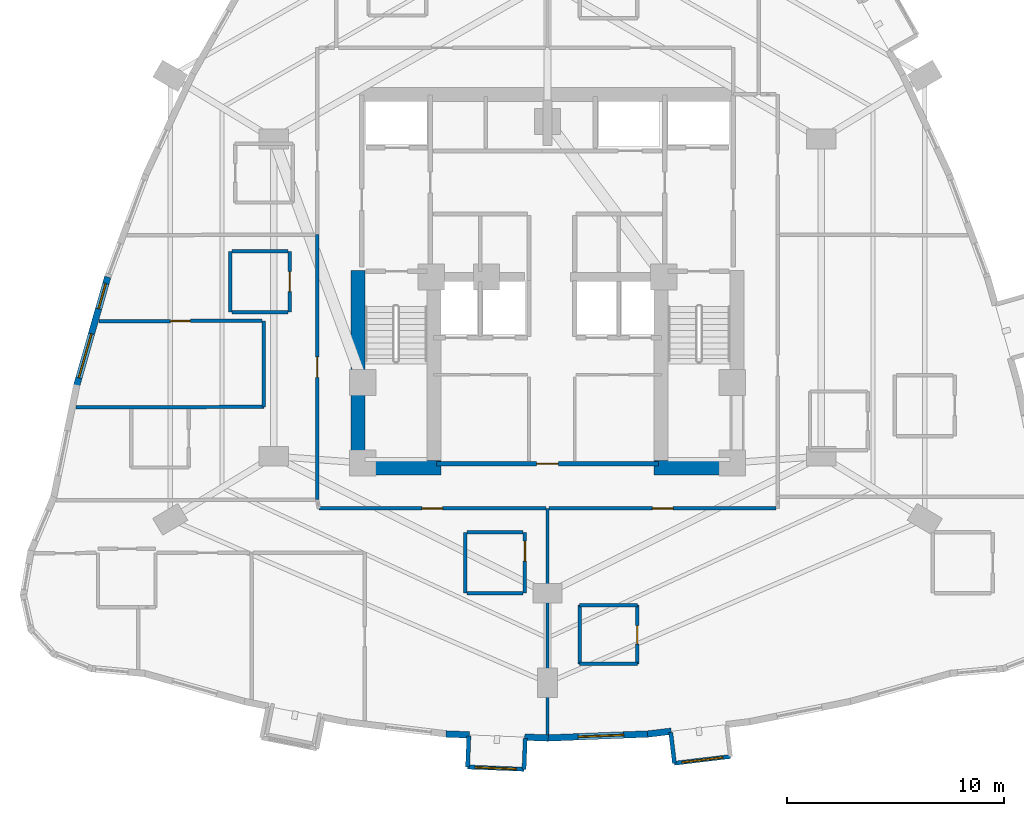
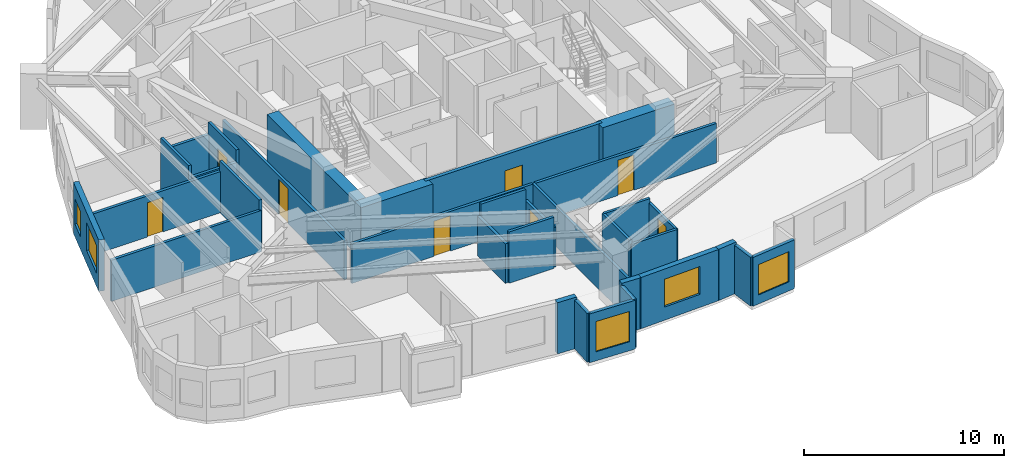
# One storey, part 9 of 15: 33 walls, 8 doors, 5 windows, 13 openings.
"""IFC4 building model written with IfcOpenShell, lengths in metres."""

from ifc_helpers import new_model, si_unit, direction, frame, frame_2d, origin, place, context, subcontext, project, spatial, rectangle, extrude, material, layer, layer_set, type_object, element, fill, save


model = new_model("IFC4")

# Units and contexts
model_context = context("Model", 3, precision=1e-05, world=origin(), true_north=direction((0.0, 1.0)))
body_context = subcontext(model_context, "Body", "Model", "MODEL_VIEW")
ifc_project = project(units=[si_unit("LENGTHUNIT", "METRE"), si_unit("AREAUNIT", "SQUARE_METRE"), si_unit("VOLUMEUNIT", "CUBIC_METRE"), si_unit("PLANEANGLEUNIT", "RADIAN"), si_unit("MASSUNIT", "GRAM", prefix="KILO")], contexts=[model_context])

# Site, building, storey
site_placement = place(None, origin())
site = spatial("IfcSite", under=ifc_project, at=site_placement, CompositionType="ELEMENT")
building_placement = place(site_placement, origin())
building = spatial("IfcBuilding", under=site, at=building_placement, Name="Miruveldt Soraemaru", CompositionType="ELEMENT")
storey_placement = place(building_placement, frame((0.0, 0.0, 83.60009765625)))
storey = spatial("IfcBuildingStorey", under=building, at=storey_placement, Name="L23", CompositionType="ELEMENT", Elevation=83.60009765625)

# Walls
ifc_material_1 = material(Name="White powder-coated aluminium EN AW-6060 T6", Category="aluminium")
ifc_layer_1 = layer(ifc_material_1, 0.18994140625, Name="White powder-coated aluminium EN AW-6060 T6", Category="aluminium")
ifc_layer_set_1 = layer_set([ifc_layer_1], Name="White powder-coated aluminium EN AW-6060 T6")
wall_type_1 = type_object("IfcWallType", Name="WALL-BAY-ALU190", PredefinedType="SOLIDWALL", material=ifc_layer_set_1)
for number, where, z_axis, x_axis, name in (
    (1, (40.380615234375, 22.927734375, 0.0), (0.0, 0.0, 1.0), (-0.039920142234, -0.999202873417, 0.0), "L23 Bay Window Side Cheek 2L"),
    (2, (42.921630859375, 21.39990234375, 0.0), (0.0, 0.0, 1.0), (0.039920142234, 0.999202873417, 0.0), "L23 Bay Window Side Cheek 2R"),
):
    element("IfcWall", number, at=place(storey_placement, frame(where, z_axis=z_axis, x_axis=x_axis)), inside=storey, type_object=wall_type_1, Name=name, PredefinedType="SOLIDWALL", context=body_context, shape_type="SweptSolid", body=[
        extrude(rectangle(XDim=1.425048828125, YDim=0.18994140625, at=frame_2d((0.71240234375, 0.0))), origin(), (0.0, 0.0, 1.0), 2.974853515625),
    ])

# Wall, opening, window
wall_1_placement = place(storey_placement, frame((40.32373046875, 21.50390625, 0.0), z_axis=(0.0, 0.0, 1.0), x_axis=(0.999199608139, -0.040001788654, 0.0)))
wall_1 = element("IfcWall", 3, at=wall_1_placement, inside=storey, type_object=wall_type_1, Name="L23 Bay Window Front Frame 2", PredefinedType="SOLIDWALL", context=body_context, shape_type="SweptSolid", body=[
    extrude(rectangle(XDim=2.60009765625, YDim=0.18994140625, at=frame_2d((1.300048828125, 0.0))), origin(), (0.0, 0.0, 1.0), 2.974853515625),
])
opening_1_placement = place(wall_1_placement, frame((0.35009765625, 0.0, 0.550048828125)))
opening_1 = element("IfcOpeningElement", 4, at=opening_1_placement, cuts=wall_1, Name="Opening WN-6", PredefinedType="OPENING", context=body_context, shape_type="SweptSolid", body=[
    extrude(rectangle(XDim=1.89990234375, YDim=1.85009765625, at=frame_2d((0.949951171875, 0.925048828125))), frame((0.0, 0.10498046875, 0.0), z_axis=(0.0, -1.0, 0.0), x_axis=(1.0, 0.0, 0.0)), (0.0, 0.0, 1.0), 0.2099609375),
])
ifc_material_2 = material(Name="Triple low-e insulated glazing", Category="glass")
window_type_1 = type_object("IfcWindowType", Name="WIN-BAYW-1900x1850", PartitioningType="SINGLE_PANEL", PredefinedType="WINDOW", material=ifc_material_2)
window_1_placement = place(opening_1_placement, origin())
window_1 = element("IfcWindow", 5, at=window_1_placement, inside=storey, type_object=window_type_1, Name="L23 Projecting Bay Window 2", OverallHeight=1.85009765625, OverallWidth=1.89990234375, PartitioningType="SINGLE_PANEL", PredefinedType="WINDOW", context=body_context, shape_type="SweptSolid", body=[
    extrude(rectangle(XDim=1.89990234375, YDim=1.85009765625, at=frame_2d((0.949951171875, 0.925048828125))), frame((0.0, 0.030029296875, 0.0), z_axis=(0.0, -1.0, 0.0), x_axis=(1.0, 0.0, 0.0)), (0.0, 0.0, 1.0), 0.06005859375),
])
fill(opening_1, window_1)

# Wall
wall_2_placement = place(storey_placement, frame((49.67041015625, 23.09228515625, 0.0), z_axis=(0.0, 0.0, 1.0), x_axis=(0.119057405757, -0.992887372331, 0.0)))
element("IfcWall", 6, at=wall_2_placement, inside=storey, type_object=wall_type_1, Name="L23 Bay Window Side Cheek 3L", PredefinedType="SOLIDWALL", context=body_context, shape_type="SweptSolid", body=[
    extrude(rectangle(XDim=1.42529296875, YDim=0.18994140625, at=frame_2d((0.712646484375, 0.0))), origin(), (0.0, 0.0, 1.0), 2.974853515625),
])

# Wall, opening, window
wall_3_placement = place(storey_placement, frame((49.840087890625, 21.67724609375, 0.0), z_axis=(0.0, 0.0, 1.0), x_axis=(0.992874172121, 0.119167438232, 0.0)))
wall_3 = element("IfcWall", 7, at=wall_3_placement, inside=storey, type_object=wall_type_1, Name="L23 Bay Window Front Frame 3", PredefinedType="SOLIDWALL", context=body_context, shape_type="SweptSolid", body=[
    extrude(rectangle(XDim=2.599853515625, YDim=0.18994140625, at=frame_2d((1.2998046875, 0.0))), origin(), (0.0, 0.0, 1.0), 2.974853515625),
])
opening_2_placement = place(wall_3_placement, frame((0.35009765625, 0.0, 0.550048828125)))
opening_2 = element("IfcOpeningElement", 8, at=opening_2_placement, cuts=wall_3, Name="Opening WN-6", PredefinedType="OPENING", context=body_context, shape_type="SweptSolid", body=[
    extrude(rectangle(XDim=1.89990234375, YDim=1.85009765625, at=frame_2d((0.949951171875, 0.925048828125))), frame((0.0, 0.10498046875, 0.0), z_axis=(0.0, -1.0, 0.0), x_axis=(1.0, 0.0, 0.0)), (0.0, 0.0, 1.0), 0.2099609375),
])
window_2_placement = place(opening_2_placement, origin())
window_2 = element("IfcWindow", 9, at=window_2_placement, inside=storey, type_object=window_type_1, Name="L23 Projecting Bay Window 3", OverallHeight=1.85009765625, OverallWidth=1.89990234375, PartitioningType="SINGLE_PANEL", PredefinedType="WINDOW", context=body_context, shape_type="SweptSolid", body=[
    extrude(rectangle(XDim=1.89990234375, YDim=1.85009765625, at=frame_2d((0.949951171875, 0.925048828125))), frame((0.0, 0.030029296875, 0.0), z_axis=(0.0, -1.0, 0.0), x_axis=(1.0, 0.0, 0.0)), (0.0, 0.0, 1.0), 0.06005859375),
])
fill(opening_2, window_2)

# Walls
ifc_material_3 = material(Name="Concrete C80/95 (80 MPa)", Category="concrete")
ifc_layer_2 = layer(ifc_material_3, 0.64990234375, Name="Concrete C80/95 (80 MPa)", Category="concrete")
ifc_layer_set_2 = layer_set([ifc_layer_2], Name="Concrete C80/95 (80 MPa)")
wall_type_2 = type_object("IfcWallType", Name="WALL-CW-650", PredefinedType="SHEAR", material=ifc_layer_set_2)
for number, where, z_axis, x_axis, name in (
    (10, (34.949951171875, 35.27490234375, 0.0), (0.0, 0.0, 1.0), (1.0, 0.0, 0.0), "L23 Central Core Shear Wall S1"),
    (11, (48.89990234375, 35.27490234375, 0.0), (0.0, 0.0, 1.0), (1.0, 0.0, 0.0), "L23 Central Core Shear Wall S2"),
):
    element("IfcWall", number, at=place(storey_placement, frame(where, z_axis=z_axis, x_axis=x_axis)), inside=storey, type_object=wall_type_2, Name=name, PredefinedType="SHEAR", context=body_context, shape_type="SweptSolid", body=[
        extrude(rectangle(XDim=4.150146484375, YDim=0.64990234375, at=frame_2d((2.0751953125, 0.0))), origin(), (0.0, 0.0, 1.0), 3.125),
    ])
wall_4_placement = place(storey_placement, frame((35.27490234375, 34.949951171875, 0.0), z_axis=(0.0, 0.0, 1.0), x_axis=(0.0, 1.0, 0.0)))
element("IfcWall", 12, at=wall_4_placement, inside=storey, type_object=wall_type_2, Name="L23 Central Core Shear Wall W1", PredefinedType="SHEAR", context=body_context, shape_type="SweptSolid", body=[
    extrude(rectangle(XDim=9.400146484375, YDim=0.64990234375, at=frame_2d((4.7001953125, 0.0))), origin(), (0.0, 0.0, 1.0), 3.125),
])

# Wall, openings, windows
ifc_material_4 = material(Name="Precast concrete C45/55 (45 MPa)", Category="concrete")
ifc_layer_3 = layer(ifc_material_4, 0.300048828125, Name="Precast concrete C45/55 (45 MPa)", Category="concrete")
ifc_layer_set_3 = layer_set([ifc_layer_3], Name="Precast concrete C45/55 (45 MPa)")
wall_type_3 = type_object("IfcWallType", Name="WALL-EXT-PC300", PredefinedType="SOLIDWALL", material=ifc_layer_set_3)
wall_5_placement = place(storey_placement, frame((23.764404296875, 44.0498046875, 0.0), z_axis=(0.0, 0.0, 1.0), x_axis=(-0.274924595384, -0.961465790787, 0.0)))
wall_5 = element("IfcWall", 13, at=wall_5_placement, inside=storey, type_object=wall_type_3, Name="L23 Precast Concrete Facade Wall 13", PredefinedType="SOLIDWALL", context=body_context, shape_type="SweptSolid", body=[
    extrude(rectangle(XDim=5.2294921875, YDim=0.300048828125, at=frame_2d((2.61474609375, 0.0))), origin(), (0.0, 0.0, 1.0), 3.125),
])
opening_3_placement = place(wall_5_placement, frame((0.31591796875, 0.0, 0.780029296875)))
opening_3 = element("IfcOpeningElement", 14, at=opening_3_placement, cuts=wall_5, Name="Opening WN-4", PredefinedType="OPENING", context=body_context, shape_type="SweptSolid", body=[
    extrude(rectangle(XDim=1.199951171875, YDim=1.550048828125, at=frame_2d((0.60009765625, 0.77490234375))), frame((0.0, 0.16015625, 0.0), z_axis=(0.0, -1.0, 0.0), x_axis=(1.0, 0.0, 0.0)), (0.0, 0.0, 1.0), 0.320068359375),
])
opening_4_placement = place(wall_5_placement, frame((2.720947265625, 0.0, 0.800048828125)))
opening_4 = element("IfcOpeningElement", 15, at=opening_4_placement, cuts=wall_5, Name="Opening WN-1", PredefinedType="OPENING", context=body_context, shape_type="SweptSolid", body=[
    extrude(rectangle(XDim=2.10009765625, YDim=1.699951171875, at=frame_2d((1.050048828125, 0.85009765625))), frame((0.0, 0.16015625, 0.0), z_axis=(0.0, -1.0, 0.0), x_axis=(1.0, 0.0, 0.0)), (0.0, 0.0, 1.0), 0.320068359375),
])
window_type_2 = type_object("IfcWindowType", Name="WIN-PUNCH-1200x1550", PartitioningType="SINGLE_PANEL", PredefinedType="WINDOW", material=ifc_material_2)
window_3_placement = place(opening_3_placement, origin())
window_3 = element("IfcWindow", 16, at=window_3_placement, inside=storey, type_object=window_type_2, Name="L23 Punched Triple-Glazed Window 13.1", OverallHeight=1.550048828125, OverallWidth=1.199951171875, PartitioningType="SINGLE_PANEL", PredefinedType="WINDOW", context=body_context, shape_type="SweptSolid", body=[
    extrude(rectangle(XDim=1.199951171875, YDim=1.550048828125, at=frame_2d((0.60009765625, 0.77490234375))), frame((0.0, 0.030029296875, 0.0), z_axis=(0.0, -1.0, 0.0), x_axis=(1.0, 0.0, 0.0)), (0.0, 0.0, 1.0), 0.06005859375),
])
fill(opening_3, window_3)
window_type_3 = type_object("IfcWindowType", Name="WIN-PUNCH-2100x1700", PartitioningType="SINGLE_PANEL", PredefinedType="WINDOW", material=ifc_material_2)
window_4_placement = place(opening_4_placement, origin())
window_4 = element("IfcWindow", 17, at=window_4_placement, inside=storey, type_object=window_type_3, Name="L23 Punched Triple-Glazed Window 13.2", OverallHeight=1.699951171875, OverallWidth=2.10009765625, PartitioningType="SINGLE_PANEL", PredefinedType="WINDOW", context=body_context, shape_type="SweptSolid", body=[
    extrude(rectangle(XDim=2.10009765625, YDim=1.699951171875, at=frame_2d((1.050048828125, 0.85009765625))), frame((0.0, 0.030029296875, 0.0), z_axis=(0.0, -1.0, 0.0), x_axis=(1.0, 0.0, 0.0)), (0.0, 0.0, 1.0), 0.06005859375),
])
fill(opening_4, window_4)

# Walls
for number, where, z_axis, x_axis, name in (
    (18, (39.32861328125, 23.02490234375, 0.0), (0.0, 0.0, 1.0), (0.999197720713, -0.040048906617, 0.0), "L23 Precast Pier Wall 24A"),
    (19, (42.95068359375, 22.8798828125, 0.0), (0.0, 0.0, 1.0), (0.999206699072, -0.0398242706, 0.0), "L23 Precast Pier Wall 24B"),
):
    element("IfcWall", number, at=place(storey_placement, frame(where, z_axis=z_axis, x_axis=x_axis)), inside=storey, type_object=wall_type_3, Name=name, PredefinedType="SOLIDWALL", context=body_context, shape_type="SweptSolid", body=[
        extrude(rectangle(XDim=1.085205078125, YDim=0.300048828125, at=frame_2d((0.54248046875, 0.0))), origin(), (0.0, 0.0, 1.0), 3.125),
    ])

# Wall, opening, window
wall_6_placement = place(storey_placement, frame((43.965087890625, 22.836669921875, 0.0), z_axis=(0.0, 0.0, 1.0), x_axis=(0.999201124317, 0.039963898265, 0.0)))
wall_6 = element("IfcWall", 20, at=wall_6_placement, inside=storey, type_object=wall_type_3, Name="L23 Precast Concrete Facade Wall 25", PredefinedType="SOLIDWALL", context=body_context, shape_type="SweptSolid", body=[
    extrude(rectangle(XDim=4.7099609375, YDim=0.300048828125, at=frame_2d((2.35498046875, 0.0))), origin(), (0.0, 0.0, 1.0), 3.125),
])
opening_5_placement = place(wall_6_placement, frame((1.446044921875, 0.0, 0.800048828125)))
opening_5 = element("IfcOpeningElement", 21, at=opening_5_placement, cuts=wall_6, Name="Opening WN-1", PredefinedType="OPENING", context=body_context, shape_type="SweptSolid", body=[
    extrude(rectangle(XDim=2.10009765625, YDim=1.699951171875, at=frame_2d((1.050048828125, 0.85009765625))), frame((0.0, 0.16015625, 0.0), z_axis=(0.0, -1.0, 0.0), x_axis=(1.0, 0.0, 0.0)), (0.0, 0.0, 1.0), 0.320068359375),
])
window_5_placement = place(opening_5_placement, origin())
window_5 = element("IfcWindow", 22, at=window_5_placement, inside=storey, type_object=window_type_3, Name="L23 Punched Triple-Glazed Window 25.1", OverallHeight=1.699951171875, OverallWidth=2.10009765625, PartitioningType="SINGLE_PANEL", PredefinedType="WINDOW", context=body_context, shape_type="SweptSolid", body=[
    extrude(rectangle(XDim=2.10009765625, YDim=1.699951171875, at=frame_2d((1.050048828125, 0.85009765625))), frame((0.0, 0.030029296875, 0.0), z_axis=(0.0, -1.0, 0.0), x_axis=(1.0, 0.0, 0.0)), (0.0, 0.0, 1.0), 0.06005859375),
])
fill(opening_5, window_5)

# Wall
wall_7_placement = place(storey_placement, frame((48.6015625, 23.019287109375, 0.0), z_axis=(0.0, 0.0, 1.0), x_axis=(0.992870535119, 0.119197736946, 0.0)))
element("IfcWall", 23, at=wall_7_placement, inside=storey, type_object=wall_type_3, Name="L23 Precast Pier Wall 26A", PredefinedType="SOLIDWALL", context=body_context, shape_type="SweptSolid", body=[
    extrude(rectangle(XDim=1.099853515625, YDim=0.300048828125, at=frame_2d((0.5498046875, 0.0))), origin(), (0.0, 0.0, 1.0), 3.125),
])

# Wall, opening, door
ifc_material_5 = material(Name="Gypsum plasterboard lining", Category="gypsum")
ifc_layer_4 = layer(ifc_material_5, 0.14990234375, Name="Gypsum plasterboard lining", Category="gypsum")
ifc_layer_set_4 = layer_set([ifc_layer_4], Name="Gypsum plasterboard lining")
wall_type_4 = type_object("IfcWallType", Name="WALL-INT-PLUMB", PredefinedType="PLUMBINGWALL", material=ifc_layer_set_4)
wall_8_placement = place(storey_placement, frame((48.1298828125, 26.25, 0.0), z_axis=(0.0, 0.0, 1.0), x_axis=(0.0, 1.0, 0.0)))
wall_8 = element("IfcWall", 24, at=wall_8_placement, inside=storey, type_object=wall_type_4, Name="L23 Partition Wall 77", PredefinedType="PLUMBINGWALL", context=body_context, shape_type="SweptSolid", body=[
    extrude(rectangle(XDim=2.699951171875, YDim=0.14990234375, at=frame_2d((1.35009765625, 0.0))), origin(), (0.0, 0.0, 1.0), 2.512939453125),
])
opening_6_placement = place(wall_8_placement, frame((0.909912109375, 0.0, 0.0)))
opening_6 = element("IfcOpeningElement", 25, at=opening_6_placement, cuts=wall_8, Name="Opening FD3", PredefinedType="OPENING", context=body_context, shape_type="SweptSolid", body=[
    extrude(rectangle(XDim=0.85009765625, YDim=2.10009765625, at=frame_2d((0.425048828125, 1.050048828125))), frame((0.0, 0.0849609375, 0.0), z_axis=(0.0, -1.0, 0.0), x_axis=(1.0, 0.0, 0.0)), (0.0, 0.0, 1.0), 0.169921875),
])
ifc_material_6 = material(Name="Anodised aluminium EN AW-6063 T6", Category="aluminium")
door_type_1 = type_object("IfcDoorType", Name="DOOR-FD3-850", OperationType="NOTDEFINED", PredefinedType="DOOR", material=ifc_material_6)
door_1_placement = place(opening_6_placement, origin())
door_1 = element("IfcDoor", 26, at=door_1_placement, inside=storey, type_object=door_type_1, Name="L23 Unit CL07 BTH Door", OperationType="SINGLE_SWING_LEFT", OverallHeight=2.10009765625, OverallWidth=0.85009765625, PredefinedType="DOOR", context=body_context, shape_type="SweptSolid", body=[
    extrude(rectangle(XDim=0.85009765625, YDim=2.10009765625, at=frame_2d((0.425048828125, 1.050048828125))), frame((0.0, 0.02490234375, 0.0), z_axis=(0.0, -1.0, 0.0), x_axis=(1.0, 0.0, 0.0)), (0.0, 0.0, 1.0), 0.050048828125),
])
fill(opening_6, door_1)

# Walls
wall_9_placement = place(storey_placement, frame((45.47998046875, 28.949951171875, 0.0), z_axis=(0.0, 0.0, 1.0), x_axis=(0.0, -1.0, 0.0)))
element("IfcWall", 27, at=wall_9_placement, inside=storey, type_object=wall_type_4, Name="L23 Partition Wall 79", PredefinedType="PLUMBINGWALL", context=body_context, shape_type="SweptSolid", body=[
    extrude(rectangle(XDim=2.699951171875, YDim=0.14990234375, at=frame_2d((1.35009765625, 0.0))), origin(), (0.0, 0.0, 1.0), 2.762939453125),
])
wall_10_placement = place(storey_placement, frame((48.1298828125, 28.949951171875, 0.0), z_axis=(0.0, 0.0, 1.0), x_axis=(-1.0, 0.0, 0.0)))
element("IfcWall", 28, at=wall_10_placement, inside=storey, type_object=wall_type_4, Name="L23 Partition Wall 78", PredefinedType="PLUMBINGWALL", context=body_context, shape_type="SweptSolid", body=[
    extrude(rectangle(XDim=2.64990234375, YDim=0.14990234375, at=frame_2d((1.324951171875, 0.0))), origin(), (0.0, 0.0, 1.0), 2.762939453125),
])
wall_11_placement = place(storey_placement, frame((45.47998046875, 26.25, 0.0), z_axis=(0.0, 0.0, 1.0), x_axis=(1.0, 0.0, 0.0)))
element("IfcWall", 29, at=wall_11_placement, inside=storey, type_object=wall_type_4, Name="L23 Partition Wall 80", PredefinedType="PLUMBINGWALL", context=body_context, shape_type="SweptSolid", body=[
    extrude(rectangle(XDim=2.64990234375, YDim=0.14990234375, at=frame_2d((1.324951171875, 0.0))), origin(), (0.0, 0.0, 1.0), 2.512939453125),
])

# Wall, opening, door
ifc_material_7 = material(Name="Concrete C40/50 (40 MPa)", Category="concrete")
ifc_layer_5 = layer(ifc_material_7, 0.159912109375, Name="Concrete C40/50 (40 MPa)", Category="concrete")
ifc_layer_set_5 = layer_set([ifc_layer_5], Name="Concrete C40/50 (40 MPa)")
wall_type_5 = type_object("IfcWallType", Name="WALL-INT-RC160", PredefinedType="SOLIDWALL", material=ifc_layer_set_5)
wall_12_placement = place(storey_placement, frame((33.39990234375, 45.9970703125, 0.0), z_axis=(0.0, 0.0, 1.0), x_axis=(0.0, -1.0, 0.0)))
wall_12 = element("IfcWall", 30, at=wall_12_placement, inside=storey, type_object=wall_type_5, Name="L23 Partition Wall 10", PredefinedType="SOLIDWALL", context=body_context, shape_type="SweptSolid", body=[
    extrude(rectangle(XDim=12.190185546875, YDim=0.159912109375, at=frame_2d((6.09521484375, 0.0))), origin(), (0.0, 0.0, 1.0), 2.36279296875),
])
opening_7_placement = place(wall_12_placement, frame((5.6201171875, 0.0, 0.0)))
opening_7 = element("IfcOpeningElement", 31, at=opening_7_placement, cuts=wall_12, Name="Opening FD2", PredefinedType="OPENING", context=body_context, shape_type="SweptSolid", body=[
    extrude(rectangle(XDim=0.949951171875, YDim=2.14990234375, at=frame_2d((0.47509765625, 1.074951171875))), frame((0.0, 0.08984375, 0.0), z_axis=(0.0, -1.0, 0.0), x_axis=(1.0, 0.0, 0.0)), (0.0, 0.0, 1.0), 0.179931640625),
])
door_type_2 = type_object("IfcDoorType", Name="DOOR-FD2-950", OperationType="NOTDEFINED", PredefinedType="DOOR", material=ifc_material_6)
door_2_placement = place(opening_7_placement, origin())
door_2 = element("IfcDoor", 32, at=door_2_placement, inside=storey, type_object=door_type_2, Name="L23 Unit 2306 Entrance Fire Door", OperationType="SINGLE_SWING_RIGHT", OverallHeight=2.14990234375, OverallWidth=0.949951171875, PredefinedType="DOOR", context=body_context, shape_type="SweptSolid", body=[
    extrude(rectangle(XDim=0.949951171875, YDim=2.14990234375, at=frame_2d((0.47509765625, 1.074951171875))), frame((0.0, 0.02490234375, 0.0), z_axis=(0.0, -1.0, 0.0), x_axis=(1.0, 0.0, 0.0)), (0.0, 0.0, 1.0), 0.050048828125),
])
fill(opening_7, door_2)

wall_13_placement = place(storey_placement, frame((33.47998046875, 33.39990234375, 0.0), z_axis=(0.0, 0.0, 1.0), x_axis=(1.0, 0.0, 0.0)))
wall_13 = element("IfcWall", 33, at=wall_13_placement, inside=storey, type_object=wall_type_5, Name="L23 Partition Wall 9", PredefinedType="SOLIDWALL", context=body_context, shape_type="SweptSolid", body=[
    extrude(rectangle(XDim=10.43994140625, YDim=0.159912109375, at=frame_2d((5.219970703125, 0.0))), origin(), (0.0, 0.0, 1.0), 2.412841796875),
])
opening_8_placement = place(wall_13_placement, frame((4.7451171875, 0.0, 0.0)))
opening_8 = element("IfcOpeningElement", 34, at=opening_8_placement, cuts=wall_13, Name="Opening FD2", PredefinedType="OPENING", context=body_context, shape_type="SweptSolid", body=[
    extrude(rectangle(XDim=0.949951171875, YDim=2.14990234375, at=frame_2d((0.47509765625, 1.074951171875))), frame((0.0, 0.08984375, 0.0), z_axis=(0.0, -1.0, 0.0), x_axis=(1.0, 0.0, 0.0)), (0.0, 0.0, 1.0), 0.179931640625),
])
door_3_placement = place(opening_8_placement, origin())
door_3 = element("IfcDoor", 35, at=door_3_placement, inside=storey, type_object=door_type_2, Name="L23 Unit 2305 Entrance Fire Door", OperationType="SINGLE_SWING_RIGHT", OverallHeight=2.14990234375, OverallWidth=0.949951171875, PredefinedType="DOOR", context=body_context, shape_type="SweptSolid", body=[
    extrude(rectangle(XDim=0.949951171875, YDim=2.14990234375, at=frame_2d((0.47509765625, 1.074951171875))), frame((0.0, 0.02490234375, 0.0), z_axis=(0.0, -1.0, 0.0), x_axis=(1.0, 0.0, 0.0)), (0.0, 0.0, 1.0), 0.050048828125),
])
fill(opening_8, door_3)

wall_14_placement = place(storey_placement, frame((44.080078125, 33.39990234375, 0.0), z_axis=(0.0, 0.0, 1.0), x_axis=(1.0, 0.0, 0.0)))
wall_14 = element("IfcWall", 36, at=wall_14_placement, inside=storey, type_object=wall_type_5, Name="L23 Partition Wall 11", PredefinedType="SOLIDWALL", context=body_context, shape_type="SweptSolid", body=[
    extrude(rectangle(XDim=10.43994140625, YDim=0.159912109375, at=frame_2d((5.219970703125, 0.0))), origin(), (0.0, 0.0, 1.0), 2.412841796875),
])
opening_9_placement = place(wall_14_placement, frame((4.7451171875, 0.0, 0.0)))
opening_9 = element("IfcOpeningElement", 37, at=opening_9_placement, cuts=wall_14, Name="Opening FD2", PredefinedType="OPENING", context=body_context, shape_type="SweptSolid", body=[
    extrude(rectangle(XDim=0.949951171875, YDim=2.14990234375, at=frame_2d((0.47509765625, 1.074951171875))), frame((0.0, 0.08984375, 0.0), z_axis=(0.0, -1.0, 0.0), x_axis=(1.0, 0.0, 0.0)), (0.0, 0.0, 1.0), 0.179931640625),
])
door_4_placement = place(opening_9_placement, origin())
door_4 = element("IfcDoor", 38, at=door_4_placement, inside=storey, type_object=door_type_2, Name="L23 Unit CL07 Entrance Fire Door", OperationType="SINGLE_SWING_RIGHT", OverallHeight=2.14990234375, OverallWidth=0.949951171875, PredefinedType="DOOR", context=body_context, shape_type="SweptSolid", body=[
    extrude(rectangle(XDim=0.949951171875, YDim=2.14990234375, at=frame_2d((0.47509765625, 1.074951171875))), frame((0.0, 0.02490234375, 0.0), z_axis=(0.0, -1.0, 0.0), x_axis=(1.0, 0.0, 0.0)), (0.0, 0.0, 1.0), 0.050048828125),
])
fill(opening_9, door_4)

wall_15_placement = place(storey_placement, frame((23.35400390625, 42.012939453125, 0.0), z_axis=(0.0, 0.0, 1.0), x_axis=(0.999995338602, 0.003053321699, 0.0)))
wall_15 = element("IfcWall", 39, at=wall_15_placement, inside=storey, type_object=wall_type_5, Name="L23 Partition Wall 75", PredefinedType="SOLIDWALL", context=body_context, shape_type="SweptSolid", body=[
    extrude(rectangle(XDim=7.51611328125, YDim=0.159912109375, at=frame_2d((3.758056640625, 0.0))), origin(), (0.0, 0.0, 1.0), 2.512939453125),
])
opening_10_placement = place(wall_15_placement, frame((3.298095703125, 0.0, 0.0)))
opening_10 = element("IfcOpeningElement", 40, at=opening_10_placement, cuts=wall_15, Name="Opening D3A", PredefinedType="OPENING", context=body_context, shape_type="SweptSolid", body=[
    extrude(rectangle(XDim=0.919921875, YDim=2.10009765625, at=frame_2d((0.4599609375, 1.050048828125))), frame((0.0, 0.08984375, 0.0), z_axis=(0.0, -1.0, 0.0), x_axis=(1.0, 0.0, 0.0)), (0.0, 0.0, 1.0), 0.179931640625),
])
door_type_3 = type_object("IfcDoorType", Name="DOOR-INT-920", OperationType="NOTDEFINED", PredefinedType="DOOR", material=ifc_material_6)
door_5_placement = place(opening_10_placement, origin())
door_5 = element("IfcDoor", 41, at=door_5_placement, inside=storey, type_object=door_type_3, Name="L23 Unit 2306 BD1 Door", OperationType="SINGLE_SWING_LEFT", OverallHeight=2.10009765625, OverallWidth=0.919921875, PredefinedType="DOOR", context=body_context, shape_type="SweptSolid", body=[
    extrude(rectangle(XDim=0.919921875, YDim=2.10009765625, at=frame_2d((0.4599609375, 1.050048828125))), frame((0.0, 0.02490234375, 0.0), z_axis=(0.0, -1.0, 0.0), x_axis=(1.0, 0.0, 0.0)), (0.0, 0.0, 1.0), 0.050048828125),
])
fill(opening_10, door_5)

wall_16_placement = place(storey_placement, frame((32.14501953125, 42.43408203125, 0.0), z_axis=(0.0, 0.0, 1.0), x_axis=(0.0, 1.0, 0.0)))
wall_16 = element("IfcWall", 42, at=wall_16_placement, inside=storey, type_object=wall_type_5, Name="L23 Partition Wall 71", PredefinedType="SOLIDWALL", context=body_context, shape_type="SweptSolid", body=[
    extrude(rectangle(XDim=2.7998046875, YDim=0.159912109375, at=frame_2d((1.39990234375, 0.0))), origin(), (0.0, 0.0, 1.0), 3.125),
])
opening_11_placement = place(wall_16_placement, frame((0.93994140625, 0.0, 0.0)))
opening_11 = element("IfcOpeningElement", 43, at=opening_11_placement, cuts=wall_16, Name="Opening D3A", PredefinedType="OPENING", context=body_context, shape_type="SweptSolid", body=[
    extrude(rectangle(XDim=0.919921875, YDim=2.10009765625, at=frame_2d((0.4599609375, 1.050048828125))), frame((0.0, 0.08984375, 0.0), z_axis=(0.0, -1.0, 0.0), x_axis=(1.0, 0.0, 0.0)), (0.0, 0.0, 1.0), 0.179931640625),
])
door_6_placement = place(opening_11_placement, origin())
door_6 = element("IfcDoor", 44, at=door_6_placement, inside=storey, type_object=door_type_3, Name="L23 Unit 2306 KIT Door", OperationType="SINGLE_SWING_RIGHT", OverallHeight=2.10009765625, OverallWidth=0.919921875, PredefinedType="DOOR", context=body_context, shape_type="SweptSolid", body=[
    extrude(rectangle(XDim=0.919921875, YDim=2.10009765625, at=frame_2d((0.4599609375, 1.050048828125))), frame((0.0, 0.02490234375, 0.0), z_axis=(0.0, -1.0, 0.0), x_axis=(1.0, 0.0, 0.0)), (0.0, 0.0, 1.0), 0.050048828125),
])
fill(opening_11, door_6)

wall_17_placement = place(storey_placement, frame((42.964111328125, 29.5, 0.0), z_axis=(0.0, 0.0, 1.0), x_axis=(0.0, 1.0, 0.0)))
wall_17 = element("IfcWall", 45, at=wall_17_placement, inside=storey, type_object=wall_type_5, Name="L23 Partition Wall 52", PredefinedType="SOLIDWALL", context=body_context, shape_type="SweptSolid", body=[
    extrude(rectangle(XDim=2.800048828125, YDim=0.159912109375, at=frame_2d((1.39990234375, 0.0))), origin(), (0.0, 0.0, 1.0), 2.412841796875),
])
opening_12_placement = place(wall_17_placement, frame((1.47998046875, 0.0, 0.0)))
opening_12 = element("IfcOpeningElement", 46, at=opening_12_placement, cuts=wall_17, Name="Opening D3A", PredefinedType="OPENING", context=body_context, shape_type="SweptSolid", body=[
    extrude(rectangle(XDim=0.919921875, YDim=2.10009765625, at=frame_2d((0.4599609375, 1.050048828125))), frame((0.0, 0.08984375, 0.0), z_axis=(0.0, -1.0, 0.0), x_axis=(1.0, 0.0, 0.0)), (0.0, 0.0, 1.0), 0.179931640625),
])
door_7_placement = place(opening_12_placement, origin())
door_7 = element("IfcDoor", 47, at=door_7_placement, inside=storey, type_object=door_type_3, Name="L23 Unit 2305 KIT Door", OperationType="SINGLE_SWING_RIGHT", OverallHeight=2.10009765625, OverallWidth=0.919921875, PredefinedType="DOOR", context=body_context, shape_type="SweptSolid", body=[
    extrude(rectangle(XDim=0.919921875, YDim=2.10009765625, at=frame_2d((0.4599609375, 1.050048828125))), frame((0.0, 0.02490234375, 0.0), z_axis=(0.0, -1.0, 0.0), x_axis=(1.0, 0.0, 0.0)), (0.0, 0.0, 1.0), 0.050048828125),
])
fill(opening_12, door_7)

# Walls
wall_18_placement = place(storey_placement, frame((44.0, 23.0029296875, 0.0), z_axis=(0.0, 0.0, 1.0), x_axis=(0.0, 1.0, 0.0)))
element("IfcWall", 48, at=wall_18_placement, inside=storey, type_object=wall_type_5, Name="L23 Partition Wall 61", PredefinedType="SOLIDWALL", context=body_context, shape_type="SweptSolid", body=[
    extrude(rectangle(XDim=10.39697265625, YDim=0.159912109375, at=frame_2d((5.198486328125, 0.0))), origin(), (0.0, 0.0, 1.0), 2.412841796875),
])
wall_19_placement = place(storey_placement, frame((30.949951171875, 38.072998046875, 0.0), z_axis=(0.0, 0.0, 1.0), x_axis=(-0.999998048698, -0.001975499899, 0.0)))
element("IfcWall", 49, at=wall_19_placement, inside=storey, type_object=wall_type_5, Name="L23 Partition Wall 99", PredefinedType="SOLIDWALL", context=body_context, shape_type="SweptSolid", body=[
    extrude(rectangle(XDim=8.65087890625, YDim=0.159912109375, at=frame_2d((4.325439453125, 0.0))), origin(), (0.0, 0.0, 1.0), 2.512939453125),
])
wall_20_placement = place(storey_placement, frame((30.949951171875, 42.035888671875, 0.0), z_axis=(0.0, 0.0, 1.0), x_axis=(0.0, -1.0, 0.0)))
element("IfcWall", 50, at=wall_20_placement, inside=storey, type_object=wall_type_5, Name="L23 Partition Wall 76", PredefinedType="SOLIDWALL", context=body_context, shape_type="SweptSolid", body=[
    extrude(rectangle(XDim=3.962890625, YDim=0.159912109375, at=frame_2d((1.9814453125, 0.0))), origin(), (0.0, 0.0, 1.0), 3.125),
])
wall_21_placement = place(storey_placement, frame((29.39501953125, 45.23388671875, 0.0), z_axis=(0.0, 0.0, 1.0), x_axis=(0.0, -1.0, 0.0)))
element("IfcWall", 51, at=wall_21_placement, inside=storey, type_object=wall_type_5, Name="L23 Partition Wall 73", PredefinedType="SOLIDWALL", context=body_context, shape_type="SweptSolid", body=[
    extrude(rectangle(XDim=2.7998046875, YDim=0.159912109375, at=frame_2d((1.39990234375, 0.0))), origin(), (0.0, 0.0, 1.0), 3.125),
])
wall_22_placement = place(storey_placement, frame((40.214111328125, 32.300048828125, 0.0), z_axis=(0.0, 0.0, 1.0), x_axis=(0.0, -1.0, 0.0)))
element("IfcWall", 52, at=wall_22_placement, inside=storey, type_object=wall_type_5, Name="L23 Partition Wall 54", PredefinedType="SOLIDWALL", context=body_context, shape_type="SweptSolid", body=[
    extrude(rectangle(XDim=2.800048828125, YDim=0.159912109375, at=frame_2d((1.39990234375, 0.0))), origin(), (0.0, 0.0, 1.0), 2.412841796875),
])
for number, where, z_axis, x_axis, name in (
    (53, (42.884033203125, 32.300048828125, 0.0), (0.0, 0.0, 1.0), (-1.0, 0.0, 0.0), "L23 Partition Wall 53"),
    (54, (40.2939453125, 29.5, 0.0), (0.0, 0.0, 1.0), (1.0, 0.0, 0.0), "L23 Partition Wall 55"),
):
    element("IfcWall", number, at=place(storey_placement, frame(where, z_axis=z_axis, x_axis=x_axis)), inside=storey, type_object=wall_type_5, Name=name, PredefinedType="SOLIDWALL", context=body_context, shape_type="SweptSolid", body=[
        extrude(rectangle(XDim=2.590087890625, YDim=0.159912109375, at=frame_2d((1.294921875, 0.0))), origin(), (0.0, 0.0, 1.0), 3.125),
    ])
for number, where, z_axis, x_axis, name in (
    (55, (32.06494140625, 45.23388671875, 0.0), (0.0, 0.0, 1.0), (-1.0, 0.0, 0.0), "L23 Partition Wall 72"),
    (56, (29.47509765625, 42.43408203125, 0.0), (0.0, 0.0, 1.0), (1.0, 0.0, 0.0), "L23 Partition Wall 74"),
):
    element("IfcWall", number, at=place(storey_placement, frame(where, z_axis=z_axis, x_axis=x_axis)), inside=storey, type_object=wall_type_5, Name=name, PredefinedType="SOLIDWALL", context=body_context, shape_type="SweptSolid", body=[
        extrude(rectangle(XDim=2.58984375, YDim=0.159912109375, at=frame_2d((1.294921875, 0.0))), origin(), (0.0, 0.0, 1.0), 2.412841796875),
    ])

# Wall, opening, door
ifc_layer_6 = layer(ifc_material_7, 0.199951171875, Name="Concrete C40/50 (40 MPa)", Category="concrete")
ifc_layer_set_6 = layer_set([ifc_layer_6], Name="Concrete C40/50 (40 MPa)")
wall_type_6 = type_object("IfcWallType", Name="WALL-INT-RC200", PredefinedType="SOLIDWALL", material=ifc_layer_set_6)
wall_23_placement = place(storey_placement, frame((38.89990234375, 35.449951171875, 0.0), z_axis=(0.0, 0.0, 1.0), x_axis=(1.0, 0.0, 0.0)))
wall_23 = element("IfcWall", 57, at=wall_23_placement, inside=storey, type_object=wall_type_6, Name="L23 Core Compartment Wall CS-S", PredefinedType="SOLIDWALL", context=body_context, shape_type="SweptSolid", body=[
    extrude(rectangle(XDim=10.2001953125, YDim=0.199951171875, at=frame_2d((5.10009765625, 0.0))), origin(), (0.0, 0.0, 1.0), 3.125),
])
opening_13_placement = place(wall_23_placement, frame((4.60009765625, 0.0, 0.0)))
opening_13 = element("IfcOpeningElement", 58, at=opening_13_placement, cuts=wall_23, Name="Opening FD1", PredefinedType="OPENING", context=body_context, shape_type="SweptSolid", body=[
    extrude(rectangle(XDim=1.0, YDim=2.14990234375, at=frame_2d((0.5, 1.074951171875))), frame((0.0, 0.10986328125, 0.0), z_axis=(0.0, -1.0, 0.0), x_axis=(1.0, 0.0, 0.0)), (0.0, 0.0, 1.0), 0.219970703125),
])
door_type_4 = type_object("IfcDoorType", Name="DOOR-FD1-1000", OperationType="NOTDEFINED", PredefinedType="DOOR", material=ifc_material_6)
door_8_placement = place(opening_13_placement, origin())
door_8 = element("IfcDoor", 59, at=door_8_placement, inside=storey, type_object=door_type_4, Name="L23 Core South Lobby Fire Door", OperationType="SINGLE_SWING_LEFT", OverallHeight=2.14990234375, OverallWidth=1.0, PredefinedType="DOOR", context=body_context, shape_type="SweptSolid", body=[
    extrude(rectangle(XDim=1.0, YDim=2.14990234375, at=frame_2d((0.5, 1.074951171875))), frame((0.0, 0.02490234375, 0.0), z_axis=(0.0, -1.0, 0.0), x_axis=(1.0, 0.0, 0.0)), (0.0, 0.0, 1.0), 0.050048828125),
])
fill(opening_13, door_8)

save(model, "model.ifc")
